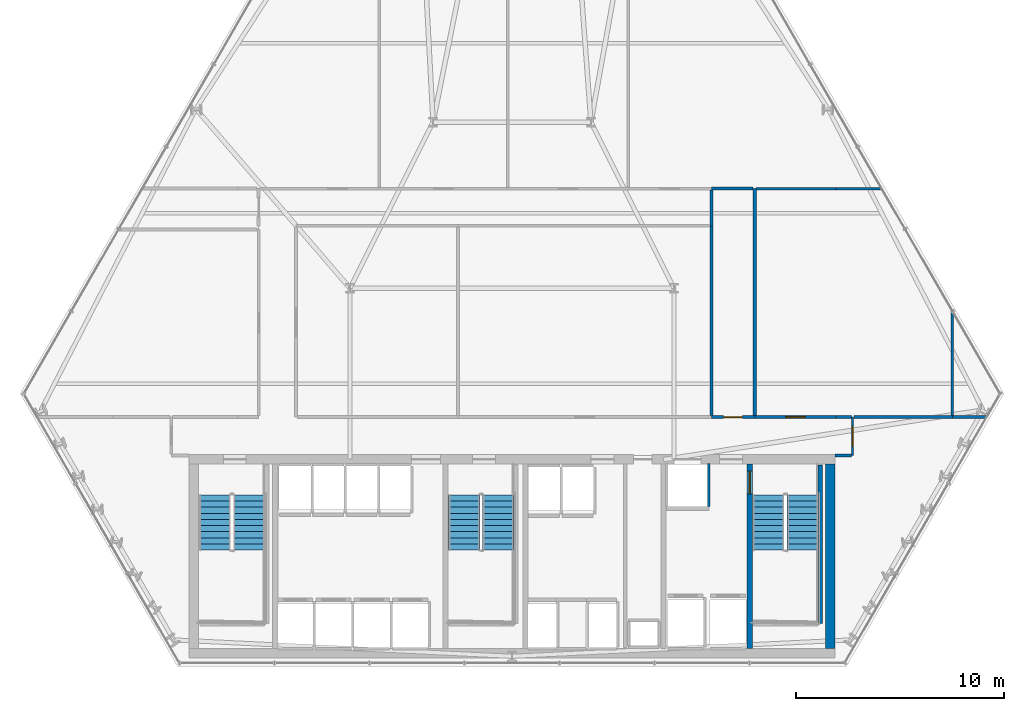
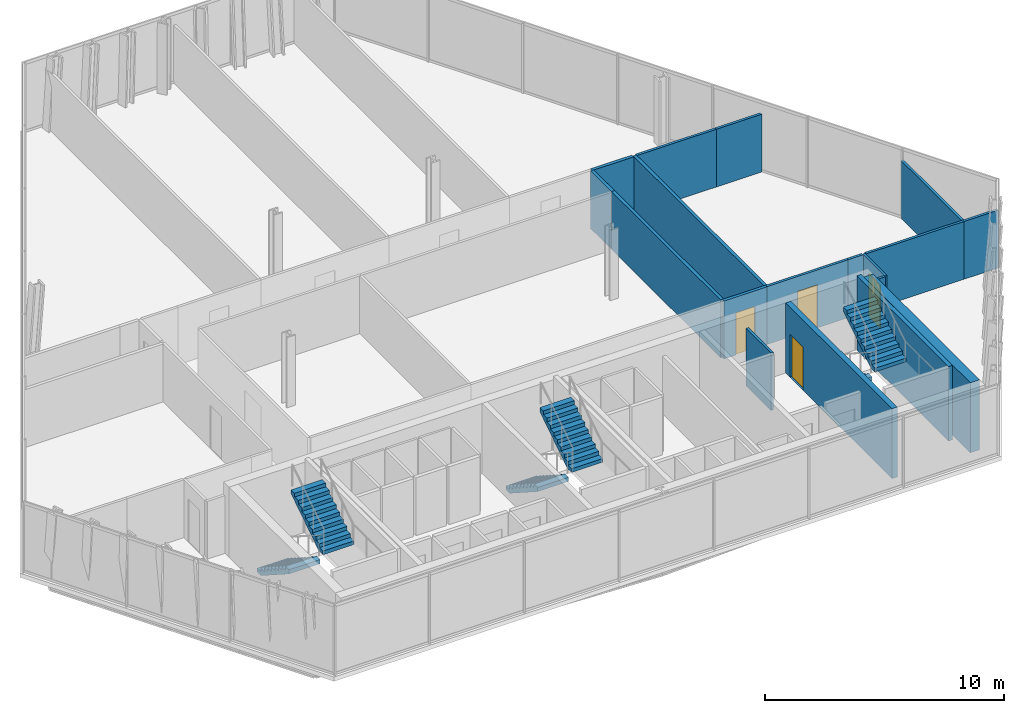
# One storey, part 29 of 32: 18 walls, 6 stair flights, 4 doors, 4 openings, 3 elements without a shape of their own.
"""IFC4 building model written with IfcOpenShell, lengths in metres."""

from ifc_helpers import new_model, si_unit, direction, frame, frame_2d, origin, place, context, subcontext, project, spatial, polyline, rectangle, outline, extrude, material, layer, layer_set, type_object, element, fill, aggregate, save


model = new_model("IFC4")

# Units and contexts
model_context = context("Model", 3, precision=1e-05, world=origin(), true_north=direction((0.0, 1.0)))
body_context = subcontext(model_context, "Body", "Model", "MODEL_VIEW")
ifc_project = project(units=[si_unit("LENGTHUNIT", "METRE"), si_unit("AREAUNIT", "SQUARE_METRE"), si_unit("VOLUMEUNIT", "CUBIC_METRE"), si_unit("PLANEANGLEUNIT", "RADIAN"), si_unit("MASSUNIT", "GRAM", prefix="KILO")], contexts=[model_context])

# Site, building, storey
site_placement = place(None, origin())
site = spatial("IfcSite", under=ifc_project, at=site_placement, CompositionType="ELEMENT")
building_placement = place(site_placement, origin())
building = spatial("IfcBuilding", under=site, at=building_placement, Name="Ndaravel Arena Tower", CompositionType="ELEMENT")
storey_placement = place(building_placement, frame((0.0, 0.0, 77.800048828125)))
storey = spatial("IfcBuildingStorey", under=building, at=storey_placement, Name="L17", CompositionType="ELEMENT", Elevation=77.800048828125)

# Wall, opening, door
ifc_material_1 = material(Name="Concrete C60/75", Category="concrete")
ifc_layer_1 = layer(ifc_material_1, 0.25)
ifc_layer_set_1 = layer_set([ifc_layer_1], Name="Concrete C60/75")
wall_type_1 = type_object("IfcWallType", Name="WALL-CORE-250", PredefinedType="SOLIDWALL", material=ifc_layer_set_1)
wall_1_placement = place(storey_placement, frame((53.449951171875, 5.85009765625, 0.0), z_axis=(0.0, 0.0, 1.0), x_axis=(0.0, 1.0, 0.0)))
wall_1 = element("IfcWall", 1, at=wall_1_placement, inside=storey, type_object=wall_type_1, Name="L17 Core Web Shear Wall 5", PredefinedType="SOLIDWALL", context=body_context, shape_type="SweptSolid", body=[
    extrude(rectangle(XDim=8.89990234375, YDim=0.25, at=frame_2d((4.449951171875, 0.0))), origin(), (0.0, 0.0, 1.0), 3.579833984375),
])
opening_1_placement = place(wall_1_placement, frame((7.449951171875, 0.0, 0.0)))
opening_1 = element("IfcOpeningElement", 2, at=opening_1_placement, cuts=wall_1, Name="Opening FD-01", PredefinedType="OPENING", context=body_context, shape_type="SweptSolid", body=[
    extrude(rectangle(XDim=1.10009765625, YDim=2.199951171875, at=frame_2d((0.550048828125, 1.10009765625))), frame((0.0, 0.125, 0.0), z_axis=(0.0, -1.0, 0.0), x_axis=(1.0, 0.0, 0.0)), (0.0, 0.0, 1.0), 0.25),
])
ifc_material_2 = material(Name="Steel S355", Category="steel")
door_type_1 = type_object("IfcDoorType", Name="DT-01-STAIR-1100", OperationType="SINGLE_SWING_LEFT", PredefinedType="DOOR", material=ifc_material_2)
door_1_placement = place(opening_1_placement, origin())
door_1 = element("IfcDoor", 3, at=door_1_placement, inside=storey, type_object=door_type_1, Name="L17 Firefighting Lobby to ST-3 Door", OperationType="SINGLE_SWING_LEFT", OverallHeight=2.199951171875, OverallWidth=1.10009765625, PredefinedType="DOOR", context=body_context, shape_type="SweptSolid", body=[
    extrude(rectangle(XDim=1.10009765625, YDim=2.199951171875, at=frame_2d((0.550048828125, 1.10009765625))), frame((0.0, 0.02490234375, 0.0), z_axis=(0.0, -1.0, 0.0), x_axis=(1.0, 0.0, 0.0)), (0.0, 0.0, 1.0), 0.050048828125),
])
fill(opening_1, door_1)

# Wall
ifc_material_3 = material(Name="Concrete C60/75", Category="concrete")
ifc_layer_2 = layer(ifc_material_3, 0.449951171875)
ifc_layer_set_2 = layer_set([ifc_layer_2], Name="Concrete C60/75")
wall_type_2 = type_object("IfcWallType", Name="WALL-CORE-450", PredefinedType="SOLIDWALL", material=ifc_layer_set_2)
wall_2_placement = place(storey_placement, frame((57.324951171875, 5.85009765625, 0.0), z_axis=(0.0, 0.0, 1.0), x_axis=(0.0, 1.0, 0.0)))
element("IfcWall", 4, at=wall_2_placement, inside=storey, type_object=wall_type_2, Name="L17 Core East Shear Wall", PredefinedType="SOLIDWALL", context=body_context, shape_type="SweptSolid", body=[
    extrude(rectangle(XDim=8.89990234375, YDim=0.449951171875, at=frame_2d((4.449951171875, 0.0))), origin(), (0.0, 0.0, 1.0), 3.579833984375),
])

# Wall, opening, door
ifc_material_4 = material(Name="Timber", Category="wood")
ifc_layer_3 = layer(ifc_material_4, 0.10009765625)
ifc_layer_set_3 = layer_set([ifc_layer_3], Name="Timber")
wall_type_3 = type_object("IfcWallType", Name="WALL-MOVABLE-100", PredefinedType="MOVABLE", material=ifc_layer_set_3)
wall_3_placement = place(storey_placement, frame((58.39990234375, 17.0, 0.0), z_axis=(0.0, 0.0, 1.0), x_axis=(0.0, -1.0, 0.0)))
wall_3 = element("IfcWall", 5, at=wall_3_placement, inside=storey, type_object=wall_type_3, Name="L17 Interior Partition 001", PredefinedType="MOVABLE", context=body_context, shape_type="SweptSolid", body=[
    extrude(rectangle(XDim=1.85009765625, YDim=0.10009765625, at=frame_2d((0.925048828125, 0.0))), origin(), (0.0, 0.0, 1.0), 2.949951171875),
])
opening_2_placement = place(wall_3_placement, frame((0.449951171875, 0.0, 0.0)))
opening_2 = element("IfcOpeningElement", 6, at=opening_2_placement, cuts=wall_3, Name="Opening ID-01", PredefinedType="OPENING", context=body_context, shape_type="SweptSolid", body=[
    extrude(rectangle(XDim=0.949951171875, YDim=2.199951171875, at=frame_2d((0.47509765625, 1.10009765625))), frame((0.0, 0.050048828125, 0.0), z_axis=(0.0, -1.0, 0.0), x_axis=(1.0, 0.0, 0.0)), (0.0, 0.0, 1.0), 0.10009765625),
])
ifc_material_5 = material(Name="Timber", Category="wood")
door_type_2 = type_object("IfcDoorType", Name="DT-03-OFFICE-950", OperationType="SINGLE_SWING_LEFT", PredefinedType="DOOR", material=ifc_material_5)
door_2_placement = place(opening_2_placement, origin())
door_2 = element("IfcDoor", 7, at=door_2_placement, inside=storey, type_object=door_type_2, Name="L17 Quiet Reading Library Door", OperationType="SINGLE_SWING_LEFT", OverallHeight=2.199951171875, OverallWidth=0.949951171875, PredefinedType="DOOR", context=body_context, shape_type="SweptSolid", body=[
    extrude(rectangle(XDim=0.949951171875, YDim=2.199951171875, at=frame_2d((0.47509765625, 1.10009765625))), frame((0.0, 0.02490234375, 0.0), z_axis=(0.0, -1.0, 0.0), x_axis=(1.0, 0.0, 0.0)), (0.0, 0.0, 1.0), 0.050048828125),
])
fill(opening_2, door_2)

# Wall
ifc_material_6 = material(Name="Gypsum", Category="gypsum")
ifc_layer_4 = layer(ifc_material_6, 0.125)
ifc_layer_set_4 = layer_set([ifc_layer_4], Name="Gypsum")
wall_type_4 = type_object("IfcWallType", Name="WALL-PART-125", PredefinedType="PARTITIONING", material=ifc_layer_set_4)
wall_4_placement = place(storey_placement, frame((58.3349609375, 15.14990234375, 0.0), z_axis=(0.0, 0.0, 1.0), x_axis=(-1.0, 0.0, 0.0)))
element("IfcWall", 8, at=wall_4_placement, inside=storey, type_object=wall_type_4, Name="L17 Interior Partition 002", PredefinedType="PARTITIONING", context=body_context, shape_type="SweptSolid", body=[
    extrude(rectangle(XDim=0.784912109375, YDim=0.125, at=frame_2d((0.392578125, 0.0))), origin(), (0.0, 0.0, 1.0), 2.949951171875),
])

# Wall, opening, door
wall_5_placement = place(storey_placement, frame((53.68798828125, 17.0, 0.0), z_axis=(0.0, 0.0, 1.0), x_axis=(1.0, 0.0, 0.0)))
wall_5 = element("IfcWall", 9, at=wall_5_placement, inside=storey, type_object=wall_type_4, Name="L17 Interior Partition 021", PredefinedType="PARTITIONING", context=body_context, shape_type="SweptSolid", body=[
    extrude(rectangle(XDim=3.912109375, YDim=0.125, at=frame_2d((1.9560546875, 0.0))), origin(), (0.0, 0.0, 1.0), 2.949951171875),
])
opening_3_placement = place(wall_5_placement, frame((1.48095703125, 0.0, 0.0)))
opening_3 = element("IfcOpeningElement", 10, at=opening_3_placement, cuts=wall_5, Name="Opening ID-01", PredefinedType="OPENING", context=body_context, shape_type="SweptSolid", body=[
    extrude(rectangle(XDim=0.949951171875, YDim=2.199951171875, at=frame_2d((0.47509765625, 1.10009765625))), frame((0.0, 0.0625, 0.0), z_axis=(0.0, -1.0, 0.0), x_axis=(1.0, 0.0, 0.0)), (0.0, 0.0, 1.0), 0.125),
])
door_3_placement = place(opening_3_placement, origin())
door_3 = element("IfcDoor", 11, at=door_3_placement, inside=storey, type_object=door_type_2, Name="L17 Advisory Desk Office 3 Door", OperationType="SINGLE_SWING_LEFT", OverallHeight=2.199951171875, OverallWidth=0.949951171875, PredefinedType="DOOR", context=body_context, shape_type="SweptSolid", body=[
    extrude(rectangle(XDim=0.949951171875, YDim=2.199951171875, at=frame_2d((0.47509765625, 1.10009765625))), frame((0.0, 0.02490234375, 0.0), z_axis=(0.0, -1.0, 0.0), x_axis=(1.0, 0.0, 0.0)), (0.0, 0.0, 1.0), 0.050048828125),
])
fill(opening_3, door_3)

# Walls
wall_6_placement = place(storey_placement, frame((57.60009765625, 17.0, 0.0), z_axis=(0.0, 0.0, 1.0), x_axis=(1.0, 0.0, 0.0)))
element("IfcWall", 12, at=wall_6_placement, inside=storey, type_object=wall_type_4, Name="L17 Interior Partition 022", PredefinedType="PARTITIONING", context=body_context, shape_type="SweptSolid", body=[
    extrude(rectangle(XDim=0.73486328125, YDim=0.125, at=frame_2d((0.367431640625, 0.0))), origin(), (0.0, 0.0, 1.0), 2.949951171875),
])
wall_7_placement = place(storey_placement, frame((58.465087890625, 17.0, 0.0), z_axis=(0.0, 0.0, 1.0), x_axis=(1.0, 0.0, 0.0)))
element("IfcWall", 13, at=wall_7_placement, inside=storey, type_object=wall_type_4, Name="L17 Interior Partition 025", PredefinedType="PARTITIONING", context=body_context, shape_type="SweptSolid", body=[
    extrude(rectangle(XDim=4.73486328125, YDim=0.125, at=frame_2d((2.367431640625, 0.0))), origin(), (0.0, 0.0, 1.0), 2.949951171875),
])
wall_8_placement = place(storey_placement, frame((63.199951171875, 17.0, 0.0), z_axis=(0.0, 0.0, 1.0), x_axis=(1.0, 0.0, 0.0)))
element("IfcWall", 14, at=wall_8_placement, inside=storey, type_object=wall_type_4, Name="L17 Interior Partition 026", PredefinedType="PARTITIONING", context=body_context, shape_type="SweptSolid", body=[
    extrude(rectangle(XDim=1.650634765625, YDim=0.125, at=frame_2d((0.8251953125, 0.0))), origin(), (0.0, 0.0, 1.0), 2.949951171875),
])
wall_9_placement = place(storey_placement, frame((57.60009765625, 28.0, 0.0), z_axis=(0.0, 0.0, 1.0), x_axis=(1.0, 0.0, 0.0)))
element("IfcWall", 15, at=wall_9_placement, inside=storey, type_object=wall_type_4, Name="L17 Interior Partition 030", PredefinedType="PARTITIONING", context=body_context, shape_type="SweptSolid", body=[
    extrude(rectangle(XDim=2.201171875, YDim=0.125, at=frame_2d((1.1005859375, 0.0))), origin(), (0.0, 0.0, 1.0), 2.949951171875),
])
wall_10_placement = place(storey_placement, frame((63.199951171875, 22.11328125, 0.0), z_axis=(0.0, 0.0, 1.0), x_axis=(0.0, -1.0, 0.0)))
element("IfcWall", 16, at=wall_10_placement, inside=storey, type_object=wall_type_4, Name="L17 Interior Partition 031", PredefinedType="PARTITIONING", context=body_context, shape_type="SweptSolid", body=[
    extrude(rectangle(XDim=5.04833984375, YDim=0.125, at=frame_2d((2.524169921875, 0.0))), origin(), (0.0, 0.0, 1.0), 2.949951171875),
])
wall_11_placement = place(storey_placement, frame((53.7529296875, 28.0, 0.0), z_axis=(0.0, 0.0, 1.0), x_axis=(1.0, 0.0, 0.0)))
element("IfcWall", 17, at=wall_11_placement, inside=storey, type_object=wall_type_4, Name="L17 Interior Partition 033", PredefinedType="PARTITIONING", context=body_context, shape_type="SweptSolid", body=[
    extrude(rectangle(XDim=3.84716796875, YDim=0.125, at=frame_2d((1.923583984375, 0.0))), origin(), (0.0, 0.0, 1.0), 2.949951171875),
])
ifc_material_7 = material(Name="Concrete C40/50", Category="concrete")
ifc_layer_5 = layer(ifc_material_7, 0.1201171875)
ifc_layer_set_5 = layer_set([ifc_layer_5], Name="Concrete C40/50")
wall_type_5 = type_object("IfcWallType", Name="WALL-SHAFT-120", PredefinedType="SOLIDWALL", material=ifc_layer_set_5)
wall_12_placement = place(storey_placement, frame((51.47998046875, 12.68994140625, 0.0), z_axis=(0.0, 0.0, 1.0), x_axis=(0.0, 1.0, 0.0)))
element("IfcWall", 18, at=wall_12_placement, inside=storey, type_object=wall_type_5, Name="L17 SVL-1 Shaft E Wall", PredefinedType="SOLIDWALL", context=body_context, shape_type="SweptSolid", body=[
    extrude(rectangle(XDim=2.070068359375, YDim=0.1201171875, at=frame_2d((1.03515625, 0.0))), origin(), (0.0, 0.0, 1.0), 2.949951171875),
])
ifc_material_8 = material(Name="Concrete C40/50", Category="concrete")
ifc_layer_6 = layer(ifc_material_8, 0.199951171875)
ifc_layer_set_6 = layer_set([ifc_layer_6], Name="Concrete C40/50")
wall_type_6 = type_object("IfcWallType", Name="WALL-SHAFT-200", PredefinedType="SOLIDWALL", material=ifc_layer_set_6)
wall_13_placement = place(storey_placement, frame((56.840087890625, 14.699951171875, 0.0), z_axis=(0.0, 0.0, 1.0), x_axis=(0.0, -1.0, 0.0)))
element("IfcWall", 19, at=wall_13_placement, inside=storey, type_object=wall_type_6, Name="L17 ST-3 Structural Shaft Wall Right", PredefinedType="SOLIDWALL", context=body_context, shape_type="SweptSolid", body=[
    extrude(rectangle(XDim=7.64990234375, YDim=0.199951171875, at=frame_2d((3.824951171875, 0.0))), origin(), (0.0, 0.0, 1.0), 3.800048828125),
])
ifc_material_9 = material(Name="Masonry", Category="masonry")
ifc_layer_7 = layer(ifc_material_9, 0.14990234375)
ifc_layer_set_7 = layer_set([ifc_layer_7], Name="Masonry")
wall_type_7 = type_object("IfcWallType", Name="WALL-WET-150", PredefinedType="PARTITIONING", material=ifc_layer_set_7)
wall_14_placement = place(storey_placement, frame((51.60009765625, 27.93505859375, 0.0), z_axis=(0.0, 0.0, 1.0), x_axis=(0.0, -1.0, 0.0)))
element("IfcWall", 20, at=wall_14_placement, inside=storey, type_object=wall_type_7, Name="L17 Interior Partition 014", PredefinedType="PARTITIONING", context=body_context, shape_type="SweptSolid", body=[
    extrude(rectangle(XDim=1.735107421875, YDim=0.14990234375, at=frame_2d((0.86767578125, 0.0))), origin(), (0.0, 0.0, 1.0), 2.949951171875),
])

# Wall, opening, door
wall_15_placement = place(storey_placement, frame((51.60009765625, 17.0, 0.0), z_axis=(0.0, 0.0, 1.0), x_axis=(1.0, 0.0, 0.0)))
wall_15 = element("IfcWall", 21, at=wall_15_placement, inside=storey, type_object=wall_type_7, Name="L17 Interior Partition 020", PredefinedType="PARTITIONING", context=body_context, shape_type="SweptSolid", body=[
    extrude(rectangle(XDim=2.087890625, YDim=0.14990234375, at=frame_2d((1.0439453125, 0.0))), origin(), (0.0, 0.0, 1.0), 2.949951171875),
])
opening_4_placement = place(wall_15_placement, frame((0.593994140625, 0.0, 0.0)))
opening_4 = element("IfcOpeningElement", 22, at=opening_4_placement, cuts=wall_15, Name="Opening WD-01", PredefinedType="OPENING", context=body_context, shape_type="SweptSolid", body=[
    extrude(rectangle(XDim=0.89990234375, YDim=2.14990234375, at=frame_2d((0.449951171875, 1.074951171875))), frame((0.0, 0.074951171875, 0.0), z_axis=(0.0, -1.0, 0.0), x_axis=(1.0, 0.0, 0.0)), (0.0, 0.0, 1.0), 0.14990234375),
])
ifc_material_10 = material(Name="Timber", Category="wood")
door_type_3 = type_object("IfcDoorType", Name="DT-05-WC-900", OperationType="SINGLE_SWING_LEFT", PredefinedType="DOOR", material=ifc_material_10)
door_4_placement = place(opening_4_placement, origin())
door_4 = element("IfcDoor", 23, at=door_4_placement, inside=storey, type_object=door_type_3, Name="L17 Male Staff & Visitor Restroom Door", OperationType="SINGLE_SWING_RIGHT", OverallHeight=2.14990234375, OverallWidth=0.89990234375, PredefinedType="DOOR", context=body_context, shape_type="SweptSolid", body=[
    extrude(rectangle(XDim=0.89990234375, YDim=2.14990234375, at=frame_2d((0.449951171875, 1.074951171875))), frame((0.0, 0.02490234375, 0.0), z_axis=(0.0, -1.0, 0.0), x_axis=(1.0, 0.0, 0.0)), (0.0, 0.0, 1.0), 0.050048828125),
])
fill(opening_4, door_4)

# Walls
wall_16_placement = place(storey_placement, frame((51.60009765625, 26.199951171875, 0.0), z_axis=(0.0, 0.0, 1.0), x_axis=(0.0, -1.0, 0.0)))
element("IfcWall", 24, at=wall_16_placement, inside=storey, type_object=wall_type_7, Name="L17 Interior Partition 029", PredefinedType="PARTITIONING", context=body_context, shape_type="SweptSolid", body=[
    extrude(rectangle(XDim=9.135009765625, YDim=0.14990234375, at=frame_2d((4.5673828125, 0.0))), origin(), (0.0, 0.0, 1.0), 2.949951171875),
])
wall_17_placement = place(storey_placement, frame((53.68798828125, 17.06494140625, 0.0), z_axis=(0.0, 0.0, 1.0), x_axis=(0.0, 1.0, 0.0)))
element("IfcWall", 25, at=wall_17_placement, inside=storey, type_object=wall_type_7, Name="L17 Interior Partition 032", PredefinedType="PARTITIONING", context=body_context, shape_type="SweptSolid", body=[
    extrude(rectangle(XDim=10.93505859375, YDim=0.14990234375, at=frame_2d((5.467529296875, 0.0))), origin(), (0.0, 0.0, 1.0), 2.949951171875),
])
wall_18_placement = place(storey_placement, frame((51.60009765625, 28.0, 0.0), z_axis=(0.0, 0.0, 1.0), x_axis=(1.0, 0.0, 0.0)))
element("IfcWall", 26, at=wall_18_placement, inside=storey, type_object=wall_type_7, Name="L17 Interior Partition 034", PredefinedType="PARTITIONING", context=body_context, shape_type="SweptSolid", body=[
    extrude(rectangle(XDim=2.0, YDim=0.14990234375, at=frame_2d((1.0, 0.0))), origin(), (0.0, 0.0, 1.0), 2.949951171875),
])

# Stair, stair flights
ifc_material_11 = material(Name="Concrete C40/50", Category="concrete")
stair_type = type_object("IfcStairType", Name="STAIR-CORE-HT", PredefinedType="HALF_TURN_STAIR", material=ifc_material_11)
stair_1_placement = place(storey_placement, origin())
stair_1 = element("IfcStair", 27, at=stair_1_placement, inside=storey, type_object=stair_type, Name="L17 ST-1", PredefinedType="HALF_TURN_STAIR")
ifc_material_12 = material(Name="Concrete C40/50", Category="concrete")
stair_flight_type = type_object("IfcStairFlightType", Name="SFLIGHT-CORE-1680", PredefinedType="STRAIGHT", material=ifc_material_12)
stair_flight_1_placement = place(storey_placement, frame((27.699951171875, 13.25, 0.0), z_axis=(0.0, 0.0, 1.0), x_axis=(0.0, -1.0, 0.0)))
stair_flight_1 = element("IfcStairFlight", 28, at=stair_flight_1_placement, type_object=stair_flight_type, Name="ST-1 flight 1", NumberOfRisers=10, NumberOfTreads=9, PredefinedType="STRAIGHT", RiserHeight=0.19, TreadLength=0.295, context=body_context, shape_type="SweptSolid", body=[
    extrude(outline(polyline([(0.0, 0.0), (0.0, 0.18994140625), (0.294921875, 0.18994140625), (0.294921875, 0.3798828125), (0.590087890625, 0.3798828125), (0.590087890625, 0.570068359375), (0.885009765625, 0.570068359375), (0.885009765625, 0.760009765625), (1.179931640625, 0.760009765625), (1.179931640625, 0.949951171875), (1.47509765625, 0.949951171875), (1.47509765625, 1.139892578125), (1.77001953125, 1.139892578125), (1.77001953125, 1.330078125), (2.06494140625, 1.330078125), (2.06494140625, 1.52001953125), (2.360107421875, 1.52001953125), (2.360107421875, 1.7099609375), (2.655029296875, 1.7099609375), (2.655029296875, 1.89990234375), (2.655029296875, 1.49609375), (0.332275390625, 0.0), (0.0, 0.0)])), frame((0.0, 0.75, 0.0), z_axis=(0.0, -1.0, 0.0), x_axis=(1.0, 0.0, 0.0)), (0.0, 0.0, 1.0), 1.5),
])
stair_flight_2_placement = place(storey_placement, frame((29.340087890625, 10.594970703125, 1.89990234375), z_axis=(0.0, 0.0, 1.0), x_axis=(0.0, 1.0, 0.0)))
stair_flight_2 = element("IfcStairFlight", 29, at=stair_flight_2_placement, type_object=stair_flight_type, Name="ST-1 flight 2", NumberOfRisers=10, NumberOfTreads=9, PredefinedType="STRAIGHT", RiserHeight=0.19, TreadLength=0.295, context=body_context, shape_type="SweptSolid", body=[
    extrude(outline(polyline([(0.0, 0.0), (0.0, 0.18994140625), (0.294921875, 0.18994140625), (0.294921875, 0.3798828125), (0.590087890625, 0.3798828125), (0.590087890625, 0.570068359375), (0.885009765625, 0.570068359375), (0.885009765625, 0.760009765625), (1.179931640625, 0.760009765625), (1.179931640625, 0.949951171875), (1.47509765625, 0.949951171875), (1.47509765625, 1.139892578125), (1.77001953125, 1.139892578125), (1.77001953125, 1.330078125), (2.06494140625, 1.330078125), (2.06494140625, 1.52001953125), (2.360107421875, 1.52001953125), (2.360107421875, 1.7099609375), (2.655029296875, 1.7099609375), (2.655029296875, 1.89990234375), (2.655029296875, 1.49609375), (0.332275390625, 0.0), (0.0, 0.0)])), frame((0.0, 0.75, 0.0), z_axis=(0.0, -1.0, 0.0), x_axis=(1.0, 0.0, 0.0)), (0.0, 0.0, 1.0), 1.5),
])
aggregate(stair_1, [stair_flight_1, stair_flight_2])

stair_2_placement = place(storey_placement, origin())
stair_2 = element("IfcStair", 30, at=stair_2_placement, inside=storey, type_object=stair_type, Name="L17 ST-2", PredefinedType="HALF_TURN_STAIR")
stair_flight_3_placement = place(storey_placement, frame((39.699951171875, 13.25, 0.0), z_axis=(0.0, 0.0, 1.0), x_axis=(0.0, -1.0, 0.0)))
stair_flight_3 = element("IfcStairFlight", 31, at=stair_flight_3_placement, type_object=stair_flight_type, Name="ST-2 flight 1", NumberOfRisers=10, NumberOfTreads=9, PredefinedType="STRAIGHT", RiserHeight=0.19, TreadLength=0.295, context=body_context, shape_type="SweptSolid", body=[
    extrude(outline(polyline([(0.0, 0.0), (0.0, 0.18994140625), (0.294921875, 0.18994140625), (0.294921875, 0.3798828125), (0.590087890625, 0.3798828125), (0.590087890625, 0.570068359375), (0.885009765625, 0.570068359375), (0.885009765625, 0.760009765625), (1.179931640625, 0.760009765625), (1.179931640625, 0.949951171875), (1.47509765625, 0.949951171875), (1.47509765625, 1.139892578125), (1.77001953125, 1.139892578125), (1.77001953125, 1.330078125), (2.06494140625, 1.330078125), (2.06494140625, 1.52001953125), (2.360107421875, 1.52001953125), (2.360107421875, 1.7099609375), (2.655029296875, 1.7099609375), (2.655029296875, 1.89990234375), (2.655029296875, 1.49609375), (0.332275390625, 0.0), (0.0, 0.0)])), frame((0.0, 0.75, 0.0), z_axis=(0.0, -1.0, 0.0), x_axis=(1.0, 0.0, 0.0)), (0.0, 0.0, 1.0), 1.5),
])
stair_flight_4_placement = place(storey_placement, frame((41.340087890625, 10.594970703125, 1.89990234375), z_axis=(0.0, 0.0, 1.0), x_axis=(0.0, 1.0, 0.0)))
stair_flight_4 = element("IfcStairFlight", 32, at=stair_flight_4_placement, type_object=stair_flight_type, Name="ST-2 flight 2", NumberOfRisers=10, NumberOfTreads=9, PredefinedType="STRAIGHT", RiserHeight=0.19, TreadLength=0.295, context=body_context, shape_type="SweptSolid", body=[
    extrude(outline(polyline([(0.0, 0.0), (0.0, 0.18994140625), (0.294921875, 0.18994140625), (0.294921875, 0.3798828125), (0.590087890625, 0.3798828125), (0.590087890625, 0.570068359375), (0.885009765625, 0.570068359375), (0.885009765625, 0.760009765625), (1.179931640625, 0.760009765625), (1.179931640625, 0.949951171875), (1.47509765625, 0.949951171875), (1.47509765625, 1.139892578125), (1.77001953125, 1.139892578125), (1.77001953125, 1.330078125), (2.06494140625, 1.330078125), (2.06494140625, 1.52001953125), (2.360107421875, 1.52001953125), (2.360107421875, 1.7099609375), (2.655029296875, 1.7099609375), (2.655029296875, 1.89990234375), (2.655029296875, 1.49609375), (0.332275390625, 0.0), (0.0, 0.0)])), frame((0.0, 0.75, 0.0), z_axis=(0.0, -1.0, 0.0), x_axis=(1.0, 0.0, 0.0)), (0.0, 0.0, 1.0), 1.5),
])
aggregate(stair_2, [stair_flight_3, stair_flight_4])

stair_3_placement = place(storey_placement, origin())
stair_3 = element("IfcStair", 33, at=stair_3_placement, inside=storey, type_object=stair_type, Name="L17 ST-3", PredefinedType="HALF_TURN_STAIR")
stair_flight_5_placement = place(storey_placement, frame((54.35009765625, 13.25, 0.0), z_axis=(0.0, 0.0, 1.0), x_axis=(0.0, -1.0, 0.0)))
stair_flight_5 = element("IfcStairFlight", 34, at=stair_flight_5_placement, type_object=stair_flight_type, Name="ST-3 flight 1", NumberOfRisers=10, NumberOfTreads=9, PredefinedType="STRAIGHT", RiserHeight=0.19, TreadLength=0.295, context=body_context, shape_type="SweptSolid", body=[
    extrude(outline(polyline([(0.0, 0.0), (0.0, 0.18994140625), (0.294921875, 0.18994140625), (0.294921875, 0.3798828125), (0.590087890625, 0.3798828125), (0.590087890625, 0.570068359375), (0.885009765625, 0.570068359375), (0.885009765625, 0.760009765625), (1.179931640625, 0.760009765625), (1.179931640625, 0.949951171875), (1.47509765625, 0.949951171875), (1.47509765625, 1.139892578125), (1.77001953125, 1.139892578125), (1.77001953125, 1.330078125), (2.06494140625, 1.330078125), (2.06494140625, 1.52001953125), (2.360107421875, 1.52001953125), (2.360107421875, 1.7099609375), (2.655029296875, 1.7099609375), (2.655029296875, 1.89990234375), (2.655029296875, 1.49609375), (0.332275390625, 0.0), (0.0, 0.0)])), frame((0.0, 0.75, 0.0), z_axis=(0.0, -1.0, 0.0), x_axis=(1.0, 0.0, 0.0)), (0.0, 0.0, 1.0), 1.5),
])
stair_flight_6_placement = place(storey_placement, frame((55.989990234375, 10.594970703125, 1.89990234375), z_axis=(0.0, 0.0, 1.0), x_axis=(0.0, 1.0, 0.0)))
stair_flight_6 = element("IfcStairFlight", 35, at=stair_flight_6_placement, type_object=stair_flight_type, Name="ST-3 flight 2", NumberOfRisers=10, NumberOfTreads=9, PredefinedType="STRAIGHT", RiserHeight=0.19, TreadLength=0.295, context=body_context, shape_type="SweptSolid", body=[
    extrude(outline(polyline([(0.0, 0.0), (0.0, 0.18994140625), (0.294921875, 0.18994140625), (0.294921875, 0.3798828125), (0.590087890625, 0.3798828125), (0.590087890625, 0.570068359375), (0.885009765625, 0.570068359375), (0.885009765625, 0.760009765625), (1.179931640625, 0.760009765625), (1.179931640625, 0.949951171875), (1.47509765625, 0.949951171875), (1.47509765625, 1.139892578125), (1.77001953125, 1.139892578125), (1.77001953125, 1.330078125), (2.06494140625, 1.330078125), (2.06494140625, 1.52001953125), (2.360107421875, 1.52001953125), (2.360107421875, 1.7099609375), (2.655029296875, 1.7099609375), (2.655029296875, 1.89990234375), (2.655029296875, 1.49609375), (0.332275390625, 0.0), (0.0, 0.0)])), frame((0.0, 0.75, 0.0), z_axis=(0.0, -1.0, 0.0), x_axis=(1.0, 0.0, 0.0)), (0.0, 0.0, 1.0), 1.5),
])
aggregate(stair_3, [stair_flight_5, stair_flight_6])

save(model, "model.ifc")
